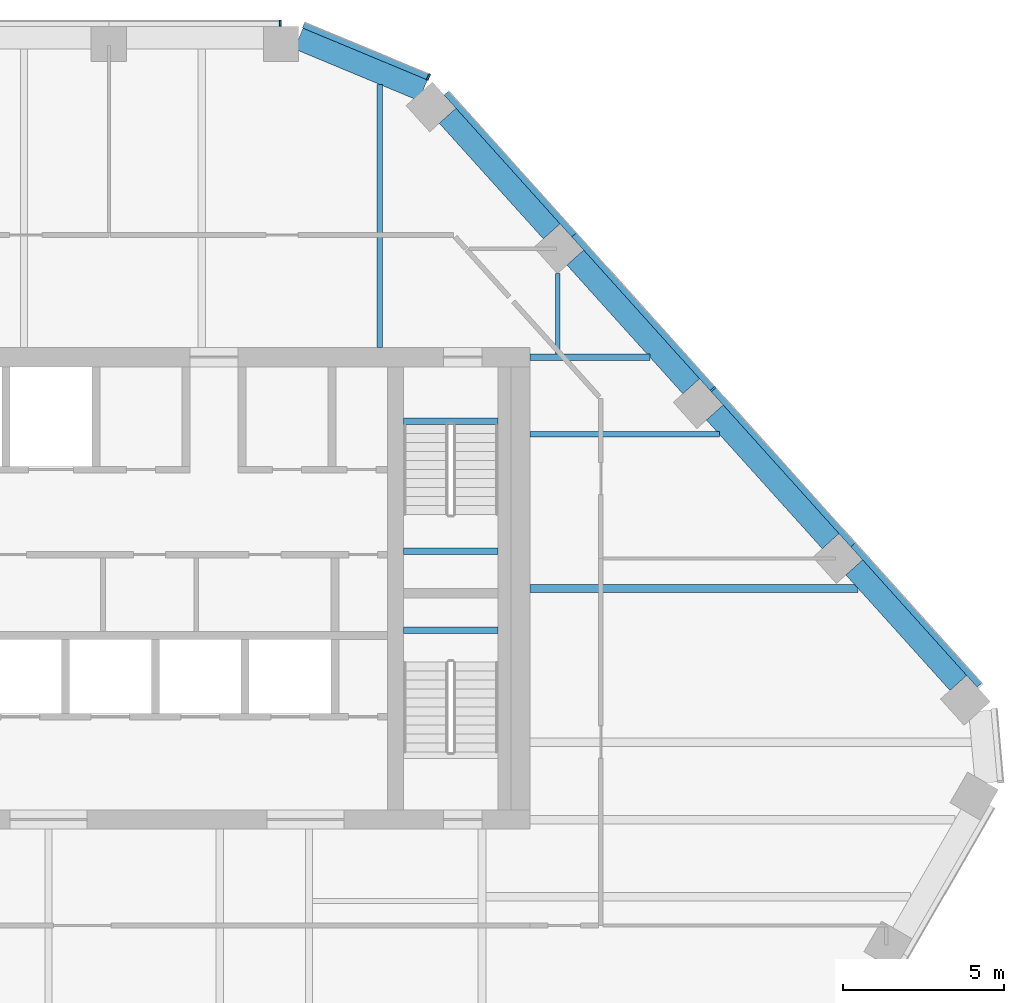
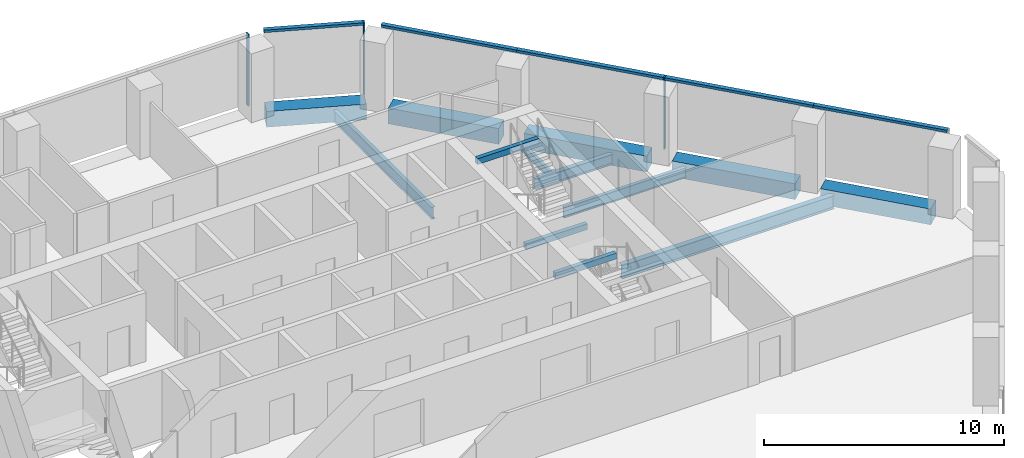
# One storey, part 7 of 15: 13 beams, 8 members, 3 elements without a shape of their own.
"""IFC4 building model written with IfcOpenShell, lengths in metres."""

from ifc_helpers import new_model, si_unit, direction, frame, origin, origin_2d, place, context, subcontext, project, spatial, rectangle, i_section, extrude, material, layer, layer_set, material_profile, profile_set, type_object, element, aggregate, save


model = new_model("IFC4")

# Units and contexts
model_context = context("Model", 3, precision=1e-05, world=origin(), true_north=direction((0.0, 1.0)))
body_context = subcontext(model_context, "Body", "Model", "MODEL_VIEW")
ifc_project = project(units=[si_unit("LENGTHUNIT", "METRE"), si_unit("AREAUNIT", "SQUARE_METRE"), si_unit("VOLUMEUNIT", "CUBIC_METRE"), si_unit("PLANEANGLEUNIT", "RADIAN"), si_unit("MASSUNIT", "GRAM", prefix="KILO")], contexts=[model_context])

# Site, building, storey
site_placement = place(None, origin())
site = spatial("IfcSite", under=ifc_project, at=site_placement, CompositionType="ELEMENT")
building_placement = place(site_placement, origin())
building = spatial("IfcBuilding", under=site, at=building_placement, Name="Isthmus Gate Tower", CompositionType="ELEMENT")
storey_placement = place(building_placement, frame((0.0, 0.0, 227.25)))
storey = spatial("IfcBuildingStorey", under=building, at=storey_placement, Name="L57", CompositionType="ELEMENT", Elevation=227.25)

# Curtain wall, member
ifc_material_1 = material(Name="Aluminium, pale champagne anodised", Category="aluminium")
ifc_layer = layer(ifc_material_1, 0.199951171875)
ifc_layer_set = layer_set([ifc_layer], Name="CW-1 UNITISED CURTAIN WALL 200 DEEP")
curtain_wall_type = type_object("IfcCurtainWallType", Name="CW-1 UNITISED CURTAIN WALL 200 DEEP", PredefinedType="NOTDEFINED", material=ifc_layer_set)
curtain_wall_1_placement = place(storey_placement, origin())
curtain_wall_1 = element("IfcCurtainWall", 1, at=curtain_wall_1_placement, inside=storey, type_object=curtain_wall_type, Name="CW-1 N L57", PredefinedType="NOTDEFINED")
ifc_material_2 = material(Name="Aluminium, pale champagne anodised", Category="aluminium")
ifc_material_profile_1 = material_profile(ifc_material_2, rectangle(XDim=0.06005859375, YDim=0.199951171875, at=origin_2d()), Name="60x200")
ifc_profile_set_1 = profile_set([ifc_material_profile_1], Name="Aluminium, pale champagne anodised")
member_type_1 = type_object("IfcMemberType", Name="CW-1 MULLION 60 X 200", PredefinedType="MULLION", material=ifc_profile_set_1)
member_1_placement = place(storey_placement, frame((7.211181640625, 25.10009765625, 0.0), z_axis=(0.0, 0.0, 1.0), x_axis=(-1.0, 0.0, 0.0)))
member_1 = element("IfcMember", 2, at=member_1_placement, type_object=member_type_1, Name="CW-1 mullion", PredefinedType="MULLION", context=body_context, shape_type="SweptSolid", body=[
    extrude(rectangle(XDim=0.06005859375, YDim=0.199951171875, at=origin_2d()), origin(), (0.0, 0.0, 1.0), 3.64990234375),
])
aggregate(curtain_wall_1, [member_1])

curtain_wall_2_placement = place(storey_placement, origin())
curtain_wall_2 = element("IfcCurtainWall", 3, at=curtain_wall_2_placement, inside=storey, type_object=curtain_wall_type, Name="CW-1 NE L57", PredefinedType="NOTDEFINED")
member_2_placement = place(storey_placement, frame((20.696533203125, 13.709228515625, 0.0), z_axis=(0.0, 0.0, 1.0), x_axis=(-0.669130606359, 0.743144825477, 0.0)))
member_2 = element("IfcMember", 4, at=member_2_placement, type_object=member_type_1, Name="CW-1 mullion", PredefinedType="MULLION", context=body_context, shape_type="SweptSolid", body=[
    extrude(rectangle(XDim=0.06005859375, YDim=0.199951171875, at=origin_2d()), origin(), (0.0, 0.0, 1.0), 3.64990234375),
])

curtain_wall_3_placement = place(storey_placement, origin())
curtain_wall_3 = element("IfcCurtainWall", 5, at=curtain_wall_3_placement, inside=storey, type_object=curtain_wall_type, Name="CW-1 NE-N L57", PredefinedType="NOTDEFINED")
member_3_placement = place(storey_placement, frame((11.83349609375, 23.427490234375, 0.0), z_axis=(0.0, 0.0, 1.0), x_axis=(-0.923353128387, 0.383951820282, 0.0)))
member_3 = element("IfcMember", 6, at=member_3_placement, type_object=member_type_1, Name="CW-1 mullion", PredefinedType="MULLION", context=body_context, shape_type="SweptSolid", body=[
    extrude(rectangle(XDim=0.06005859375, YDim=0.199951171875, at=origin_2d()), origin(), (0.0, 0.0, 1.0), 3.64990234375),
])

# Member
ifc_material_3 = material(Name="Aluminium, pale champagne anodised", Category="aluminium")
ifc_material_profile_2 = material_profile(ifc_material_3, rectangle(XDim=0.199951171875, YDim=0.1298828125, at=origin_2d()), Name="200x130")
ifc_profile_set_2 = profile_set([ifc_material_profile_2], Name="Aluminium, pale champagne anodised")
member_type_2 = type_object("IfcMemberType", Name="CW-1 TRANSOM 200 X 130", PredefinedType="USERDEFINED", material=ifc_profile_set_2)
member_4_placement = place(storey_placement, frame((28.99609375, 4.491455078125, 3.5849609375), z_axis=(-0.669134411332, 0.743141399447, 0.0), x_axis=(-0.743141399447, -0.669134411332, 0.0)))
member_4 = element("IfcMember", 7, at=member_4_placement, type_object=member_type_2, Name="CW-1 transom", ObjectType="TRANSOM", PredefinedType="USERDEFINED", context=body_context, shape_type="SweptSolid", body=[
    extrude(rectangle(XDim=0.199951171875, YDim=0.1298828125, at=origin_2d()), origin(), (0.0, 0.0, 1.0), 5.8818359375),
])

member_5_placement = place(storey_placement, frame((25.060302734375, 8.862548828125, 3.5849609375), z_axis=(-0.669112239491, 0.743161362668, 0.0), x_axis=(-0.743161362668, -0.669112239491, 0.0)))
member_5 = element("IfcMember", 8, at=member_5_placement, type_object=member_type_2, Name="CW-1 transom", ObjectType="TRANSOM", PredefinedType="USERDEFINED", context=body_context, shape_type="SweptSolid", body=[
    extrude(rectangle(XDim=0.199951171875, YDim=0.1298828125, at=origin_2d()), origin(), (0.0, 0.0, 1.0), 6.49169921875),
])

member_6_placement = place(storey_placement, frame((20.67626953125, 13.7314453125, 3.5849609375), z_axis=(-0.669128292476, 0.7431469089, 0.0), x_axis=(-0.7431469089, -0.669128292476, 0.0)))
member_6 = element("IfcMember", 9, at=member_6_placement, type_object=member_type_2, Name="CW-1 transom", ObjectType="TRANSOM", PredefinedType="USERDEFINED", context=body_context, shape_type="SweptSolid", body=[
    extrude(rectangle(XDim=0.199951171875, YDim=0.1298828125, at=origin_2d()), origin(), (0.0, 0.0, 1.0), 6.431884765625),
])

member_7_placement = place(storey_placement, frame((16.37255859375, 18.51123046875, 3.5849609375), z_axis=(-0.669116811031, 0.743157246615, 0.0), x_axis=(-0.743157246615, -0.669116811031, 0.0)))
member_7 = element("IfcMember", 10, at=member_7_placement, type_object=member_type_2, Name="CW-1 transom", ObjectType="TRANSOM", PredefinedType="USERDEFINED", context=body_context, shape_type="SweptSolid", body=[
    extrude(rectangle(XDim=0.199951171875, YDim=0.1298828125, at=origin_2d()), origin(), (0.0, 0.0, 1.0), 5.94189453125),
])

aggregate(curtain_wall_2, [member_4, member_5, member_2, member_6, member_7])

member_8_placement = place(storey_placement, frame((11.8056640625, 23.43896484375, 3.5849609375), z_axis=(-0.923358236369, 0.383939536033, 0.0), x_axis=(-0.383939536033, -0.923358236369, 0.0)))
member_8 = element("IfcMember", 11, at=member_8_placement, type_object=member_type_2, Name="CW-1 transom", ObjectType="TRANSOM", PredefinedType="USERDEFINED", context=body_context, shape_type="SweptSolid", body=[
    extrude(rectangle(XDim=0.199951171875, YDim=0.1298828125, at=origin_2d()), origin(), (0.0, 0.0, 1.0), 4.181640625),
])

aggregate(curtain_wall_3, [member_3, member_8])

# Beams
ifc_material_4 = material(Name="Concrete f'c 50 MPa", Category="concrete")
ifc_material_profile_3 = material_profile(ifc_material_4, rectangle(XDim=0.699951171875, YDim=0.800048828125, at=origin_2d()), Name="RC 700X800")
ifc_profile_set_3 = profile_set([ifc_material_profile_3], Name="Concrete f'c 50 MPa")
beam_type_1 = type_object("IfcBeamType", Name="RC SPANDREL 700 X 800", PredefinedType="SPANDREL", material=ifc_profile_set_3)
beam_1_placement = place(storey_placement, frame((7.791015625, 24.620849609375, -0.39990234375), z_axis=(0.923360646135, -0.383933740597, 0.0), x_axis=(0.383933740597, 0.923360646135, 0.0)))
element("IfcBeam", 12, at=beam_1_placement, inside=storey, type_object=beam_type_1, Name="str-spandrel-L57-00", PredefinedType="SPANDREL", context=body_context, shape_type="SweptSolid", body=[
    extrude(rectangle(XDim=0.699951171875, YDim=0.800048828125, at=origin_2d()), origin(), (0.0, 0.0, 1.0), 4.19677734375),
])
beam_2_placement = place(storey_placement, frame((12.43017578125, 22.21728515625, -0.39990234375), z_axis=(0.669129069044, -0.743146209679, 0.0), x_axis=(0.743146209679, 0.669129069044, 0.0)))
element("IfcBeam", 13, at=beam_2_placement, inside=storey, type_object=beam_type_1, Name="str-spandrel-L57-01", PredefinedType="SPANDREL", context=body_context, shape_type="SweptSolid", body=[
    extrude(rectangle(XDim=0.699951171875, YDim=0.800048828125, at=origin_2d()), origin(), (0.0, 0.0, 1.0), 4.842041015625),
])
beam_3_placement = place(storey_placement, frame((16.40625, 17.801513671875, -0.39990234375), z_axis=(0.669122314994, -0.743152290972, 0.0), x_axis=(0.743152290972, 0.669122314994, 0.0)))
element("IfcBeam", 14, at=beam_3_placement, inside=storey, type_object=beam_type_1, Name="str-spandrel-L57-02", PredefinedType="SPANDREL", context=body_context, shape_type="SweptSolid", body=[
    extrude(rectangle(XDim=0.699951171875, YDim=0.800048828125, at=origin_2d()), origin(), (0.0, 0.0, 1.0), 5.39208984375),
])
beam_4_placement = place(storey_placement, frame((20.75, 12.97705078125, -0.39990234375), z_axis=(0.669144830508, -0.743132017749, 0.0), x_axis=(0.743132017749, 0.669144830508, 0.0)))
element("IfcBeam", 15, at=beam_4_placement, inside=storey, type_object=beam_type_1, Name="str-spandrel-L57-03", PredefinedType="SPANDREL", context=body_context, shape_type="SweptSolid", body=[
    extrude(rectangle(XDim=0.699951171875, YDim=0.800048828125, at=origin_2d()), origin(), (0.0, 0.0, 1.0), 5.391845703125),
])
beam_5_placement = place(storey_placement, frame((25.093994140625, 8.152587890625, -0.39990234375), z_axis=(0.669154141686, -0.743123633499, 0.0), x_axis=(0.743123633499, 0.669154141686, 0.0)))
element("IfcBeam", 16, at=beam_5_placement, inside=storey, type_object=beam_type_1, Name="str-spandrel-L57-04", PredefinedType="SPANDREL", context=body_context, shape_type="SweptSolid", body=[
    extrude(rectangle(XDim=0.699951171875, YDim=0.800048828125, at=origin_2d()), origin(), (0.0, 0.0, 1.0), 4.842041015625),
])
ifc_material_5 = material(Name="Concrete f'c 40 MPa", Category="concrete")
ifc_material_profile_4 = material_profile(ifc_material_5, rectangle(XDim=0.199951171875, YDim=0.300048828125, at=origin_2d()), Name="STAIR LANDING BEAM RC 200 X 300")
ifc_profile_set_4 = profile_set([ifc_material_profile_4], Name="Concrete f'c 40 MPa")
beam_type_2 = type_object("IfcBeamType", Name="STAIR LANDING BEAM RC 200 X 300", PredefinedType="BEAM", material=ifc_profile_set_4)
for number, where, z_axis, x_axis, name in (
    (17, (11.050048828125, 8.64990234375, 1.47509765625), (1.0, 0.0, 0.0), (0.0, 1.0, 0.0), "L57 ST2 landing beam 1"),
    (18, (11.050048828125, 12.7001953125, 3.35009765625), (1.0, 0.0, 0.0), (0.0, 1.0, 0.0), "L57 ST2 floor-edge seat beam"),
    (19, (11.050048828125, 6.199951171875, 1.47509765625), (1.0, 0.0, 0.0), (0.0, 1.0, 0.0), "L57 ST8 landing beam 1"),
):
    element("IfcBeam", number, at=place(storey_placement, frame(where, z_axis=z_axis, x_axis=x_axis)), inside=storey, type_object=beam_type_2, Name=name, PredefinedType="BEAM", context=body_context, shape_type="SweptSolid", body=[
        extrude(rectangle(XDim=0.199951171875, YDim=0.300048828125, at=origin_2d()), origin(), (0.0, 0.0, 1.0), 2.949951171875),
    ])
ifc_material_6 = material(Name="Structural steel ASTM A992 Gr 50", Category="steel")
ifc_material_profile_5 = material_profile(ifc_material_6, i_section(OverallWidth=0.1396484375, OverallDepth=0.4033203125, WebThickness=0.00634765625, FlangeThickness=0.010986328125, at=origin_2d()), Name="W16X31")
ifc_profile_set_5 = profile_set([ifc_material_profile_5], Name="Structural steel ASTM A992 Gr 50")
beam_type_3 = type_object("IfcBeamType", Name="STEEL FLOOR BEAM W16X31", PredefinedType="JOIST", material=ifc_profile_set_5)
beam_6_placement = place(storey_placement, frame((15.862060546875, 14.8046875, -0.3515625), z_axis=(0.0, 1.0, 0.0), x_axis=(-1.0, 0.0, 0.0)))
element("IfcBeam", 20, at=beam_6_placement, inside=storey, type_object=beam_type_3, Name="str-beam-L57-05-06", PredefinedType="JOIST", context=body_context, shape_type="SweptSolid", body=[
    extrude(i_section(OverallWidth=0.1396484375, OverallDepth=0.4033203125, WebThickness=0.00634765625, FlangeThickness=0.010986328125, at=origin_2d()), origin(), (0.0, 0.0, 1.0), 2.5068359375),
])
ifc_material_7 = material(Name="Structural steel ASTM A992 Gr 50", Category="steel")
ifc_material_profile_6 = material_profile(ifc_material_7, i_section(OverallWidth=0.1650390625, OverallDepth=0.52392578125, WebThickness=0.009521484375, FlangeThickness=0.010986328125, at=origin_2d()), Name="W21X44")
ifc_profile_set_6 = profile_set([ifc_material_profile_6], Name="Structural steel ASTM A992 Gr 50")
beam_type_4 = type_object("IfcBeamType", Name="STEEL FLOOR BEAM W21X44", PredefinedType="JOIST", material=ifc_profile_set_6)
beam_7_placement = place(storey_placement, frame((15.0, 12.300048828125, -0.411865234375), z_axis=(1.0, 0.0, 0.0), x_axis=(0.0, 1.0, 0.0)))
element("IfcBeam", 21, at=beam_7_placement, inside=storey, type_object=beam_type_4, Name="str-beam-L57-13-02", PredefinedType="JOIST", context=body_context, shape_type="SweptSolid", body=[
    extrude(i_section(OverallWidth=0.1650390625, OverallDepth=0.52392578125, WebThickness=0.009521484375, FlangeThickness=0.010986328125, at=origin_2d()), origin(), (0.0, 0.0, 1.0), 5.888671875),
])
ifc_material_8 = material(Name="Structural steel ASTM A992 Gr 50", Category="steel")
ifc_material_profile_7 = material_profile(ifc_material_8, i_section(OverallWidth=0.177734375, OverallDepth=0.60009765625, WebThickness=0.009521484375, FlangeThickness=0.0126953125, at=origin_2d()), Name="W24X55")
ifc_profile_set_7 = profile_set([ifc_material_profile_7], Name="Structural steel ASTM A992 Gr 50")
beam_type_5 = type_object("IfcBeamType", Name="STEEL FLOOR BEAM W24X55", PredefinedType="JOIST", material=ifc_profile_set_7)
beam_8_placement = place(storey_placement, frame((10.3193359375, 15.0, -0.449951171875), z_axis=(0.0, 1.0, 0.0), x_axis=(-1.0, 0.0, 0.0)))
element("IfcBeam", 22, at=beam_8_placement, inside=storey, type_object=beam_type_5, Name="str-beam-L57-05-05", PredefinedType="JOIST", context=body_context, shape_type="SweptSolid", body=[
    extrude(i_section(OverallWidth=0.177734375, OverallDepth=0.60009765625, WebThickness=0.009521484375, FlangeThickness=0.0126953125, at=origin_2d()), origin(), (0.0, 0.0, 1.0), 8.190673828125),
])
ifc_material_9 = material(Name="Structural steel ASTM A992 Gr 50", Category="steel")
ifc_material_profile_8 = material_profile(ifc_material_9, i_section(OverallWidth=0.25390625, OverallDepth=0.679443359375, WebThickness=0.010986328125, FlangeThickness=0.015869140625, at=origin_2d()), Name="W27X84")
ifc_profile_set_8 = profile_set([ifc_material_profile_8], Name="Structural steel ASTM A992 Gr 50")
beam_type_6 = type_object("IfcBeamType", Name="STEEL FLOOR BEAM W27X84", PredefinedType="JOIST", material=ifc_profile_set_8)
beam_9_placement = place(storey_placement, frame((15.0, 7.5, -0.48974609375), z_axis=(1.0, 0.0, 0.0), x_axis=(0.0, 1.0, 0.0)))
element("IfcBeam", 23, at=beam_9_placement, inside=storey, type_object=beam_type_6, Name="str-beam-L57-13-01", PredefinedType="JOIST", context=body_context, shape_type="SweptSolid", body=[
    extrude(i_section(OverallWidth=0.25390625, OverallDepth=0.679443359375, WebThickness=0.010986328125, FlangeThickness=0.015869140625, at=origin_2d()), origin(), (0.0, 0.0, 1.0), 10.210693359375),
])
ifc_material_10 = material(Name="Structural steel ASTM A992 Gr 50", Category="steel")
ifc_material_profile_9 = material_profile(ifc_material_10, i_section(OverallWidth=0.20947265625, OverallDepth=0.533447265625, WebThickness=0.009521484375, FlangeThickness=0.015869140625, at=origin_2d()), Name="W21X62")
ifc_profile_set_9 = profile_set([ifc_material_profile_9], Name="Structural steel ASTM A992 Gr 50")
beam_type_7 = type_object("IfcBeamType", Name="STEEL GIRDER W21X62", PredefinedType="BEAM", material=ifc_profile_set_9)
beam_10_placement = place(storey_placement, frame((15.0, 14.699951171875, -0.416748046875), z_axis=(1.0, 0.0, 0.0), x_axis=(0.0, 1.0, 0.0)))
element("IfcBeam", 24, at=beam_10_placement, inside=storey, type_object=beam_type_7, Name="str-girder-L57-12", PredefinedType="BEAM", context=body_context, shape_type="SweptSolid", body=[
    extrude(i_section(OverallWidth=0.20947265625, OverallDepth=0.533447265625, WebThickness=0.009521484375, FlangeThickness=0.015869140625, at=origin_2d()), origin(), (0.0, 0.0, 1.0), 3.727783203125),
])

save(model, "model.ifc")
